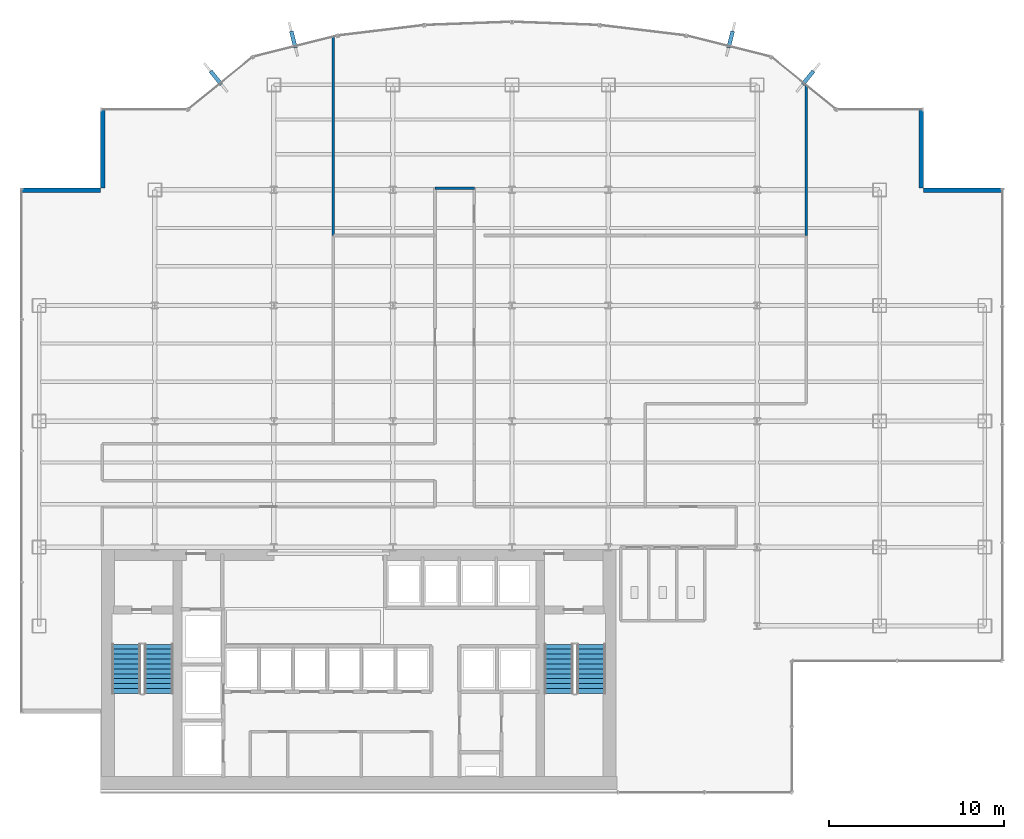
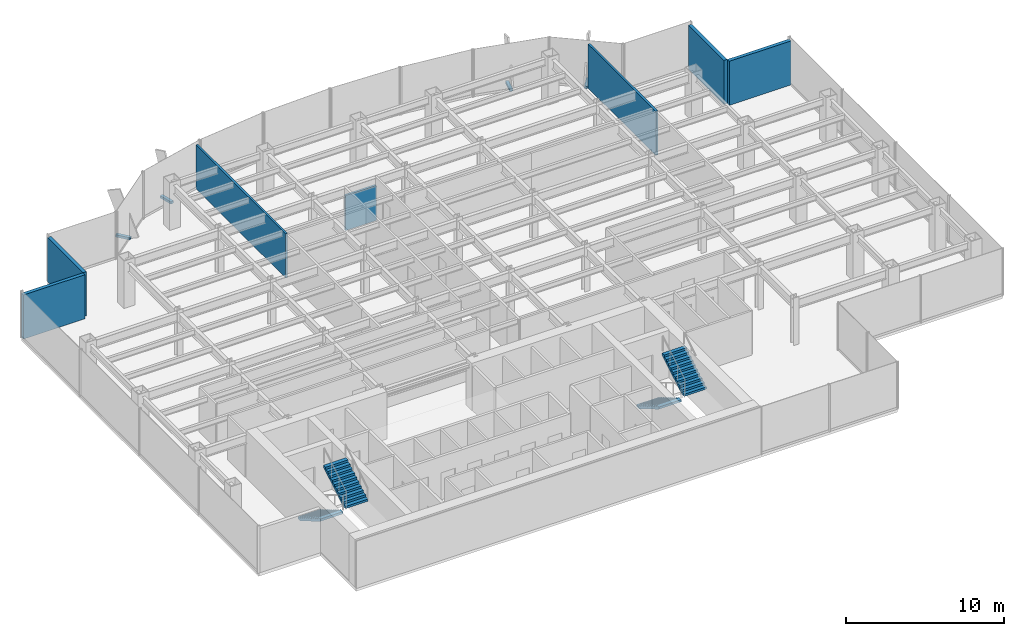
# One storey, part 23 of 26: 7 walls, 4 discrete accessories, 4 stair flights, 2 elements without a shape of their own.
"""IFC4 building model written with IfcOpenShell, lengths in metres."""

from ifc_helpers import new_model, si_unit, derived_unit, direction, frame, frame_2d, origin, origin_2d, place, context, subcontext, project, spatial, polyline, rectangle, outline, extrude, source, transform, mapped, material, layer, layer_set, type_object, element, aggregate, save


model = new_model("IFC4")

# Units and contexts
model_context = context("Model", 3, precision=1e-05, world=origin(), true_north=direction((0.0, 1.0)))
body_context = subcontext(model_context, "Body", "Model", "MODEL_VIEW")
ifc_project = project(units=[si_unit("LENGTHUNIT", "METRE"), si_unit("AREAUNIT", "SQUARE_METRE"), si_unit("VOLUMEUNIT", "CUBIC_METRE"), si_unit("PLANEANGLEUNIT", "RADIAN"), si_unit("MASSUNIT", "GRAM", prefix="KILO"), derived_unit("THERMALTRANSMITTANCEUNIT", [(si_unit("POWERUNIT", "WATT"), 1), (si_unit("LENGTHUNIT", "METRE"), -2), (si_unit("THERMODYNAMICTEMPERATUREUNIT", "KELVIN"), -1)])], contexts=[model_context])

# Site, building, storey
site_placement = place(None, origin())
site = spatial("IfcSite", under=ifc_project, at=site_placement, CompositionType="ELEMENT")
building_placement = place(site_placement, origin())
building = spatial("IfcBuilding", under=site, at=building_placement, Name="Skarnbrae Concourse Arena and Tower", CompositionType="ELEMENT")
storey_placement = place(building_placement, frame((0.0, 0.0, 114.199951171875)))
storey = spatial("IfcBuildingStorey", under=building, at=storey_placement, Name="L28", CompositionType="ELEMENT", Elevation=114.199951171875)

# Walls
ifc_material_1 = material(Name="Precast concrete 40 MPa (C40/50)", Category="concrete")
ifc_layer_1 = layer(ifc_material_1, 0.25)
ifc_layer_set_1 = layer_set([ifc_layer_1], Name="Precast concrete 40 MPa (C40/50)")
wall_type_1 = type_object("IfcWallType", Name="WALL-EXT-SPANDREL-250", PredefinedType="STANDARD", material=ifc_layer_set_1)
shared_shape_1 = source(origin(), body_context, "Body", "SweptSolid", [
    extrude(rectangle(XDim=4.5, YDim=0.25, at=frame_2d((2.25, 0.0))), origin(), (0.0, 0.0, 1.0), 3.400146484375),
])
for number, where, z_axis, x_axis, name in (
    (1, (56.0, 34.375, 0.0), (0.0, 0.0, 1.0), (-1.0, 0.0, 0.0), "L28 Notched corner insulated return wall 05"),
    (2, (51.375, 34.5, 0.0), (0.0, 0.0, 1.0), (0.0, 1.0, 0.0), "L28 Notched corner insulated return wall 06"),
    (3, (4.625, 39.0, 0.0), (0.0, 0.0, 1.0), (0.0, -1.0, 0.0), "L28 Notched corner insulated return wall 17"),
    (4, (4.5, 34.375, 0.0), (0.0, 0.0, 1.0), (-1.0, 0.0, 0.0), "L28 Notched corner insulated return wall 18"),
):
    element("IfcWall", number, at=place(storey_placement, frame(where, z_axis=z_axis, x_axis=x_axis)), inside=storey, type_object=wall_type_1, Name=name, PredefinedType="STANDARD", context=body_context, shape_type="MappedRepresentation", body=[
        mapped(shared_shape_1, transform((0.0, 0.0, 0.0))),
    ])
ifc_material_2 = material(Name="Gypsum board on cold-formed steel studs", Category="steel")
ifc_layer_2 = layer(ifc_material_2, 0.14990234375)
ifc_layer_set_2 = layer_set([ifc_layer_2], Name="Gypsum board on cold-formed steel studs")
wall_type_2 = type_object("IfcWallType", Name="WALL-PART-150-1HR", PredefinedType="PARTITIONING", material=ifc_layer_set_2)
shared_shape_2 = source(origin(), body_context, "Body", "SweptSolid", [
    extrude(rectangle(XDim=2.25, YDim=0.14990234375, at=frame_2d((1.125, 0.0))), origin(), (0.0, 0.0, 1.0), 2.7021484375),
])
wall_1_placement = place(storey_placement, frame((23.60009765625, 34.5, 0.0), z_axis=(0.0, 0.0, 1.0), x_axis=(1.0, 0.0, 0.0)))
element("IfcWall", 5, at=wall_1_placement, inside=storey, type_object=wall_type_2, Name="L28 Interior partition wall W-L28-COR-08", PredefinedType="PARTITIONING", context=body_context, shape_type="MappedRepresentation", body=[
    mapped(shared_shape_2, transform((0.0, 0.0, 0.0))),
])
ifc_layer_3 = layer(ifc_material_2, 0.14990234375)
ifc_layer_set_3 = layer_set([ifc_layer_3], Name="Gypsum board on cold-formed steel studs")
wall_type_3 = type_object("IfcWallType", Name="WALL-PART-150", PredefinedType="PARTITIONING", material=ifc_layer_set_3)
shared_shape_3 = source(origin(), body_context, "Body", "SweptSolid", [
    extrude(rectangle(XDim=11.3330078125, YDim=0.14990234375, at=frame_2d((5.66650390625, 0.0))), origin(), (0.0, 0.0, 1.0), 3.400146484375),
])
wall_2_placement = place(storey_placement, frame((17.800048828125, 43.133056640625, 0.0), z_axis=(0.0, 0.0, 1.0), x_axis=(0.0, -1.0, 0.0)))
element("IfcWall", 6, at=wall_2_placement, inside=storey, type_object=wall_type_3, Name="L28 Interior partition wall W-L28-DEM-18", PredefinedType="PARTITIONING", context=body_context, shape_type="MappedRepresentation", body=[
    mapped(shared_shape_3, transform((0.0, 0.0, 0.0))),
])
shared_shape_4 = source(origin(), body_context, "Body", "SweptSolid", [
    extrude(rectangle(XDim=8.554931640625, YDim=0.14990234375, at=frame_2d((4.27734375, 0.0))), origin(), (0.0, 0.0, 1.0), 3.400146484375),
])
wall_3_placement = place(storey_placement, frame((44.800048828125, 40.35498046875, 0.0), z_axis=(0.0, 0.0, 1.0), x_axis=(0.0, -1.0, 0.0)))
element("IfcWall", 7, at=wall_3_placement, inside=storey, type_object=wall_type_3, Name="L28 Interior partition wall W-L28-DEM-24", PredefinedType="PARTITIONING", context=body_context, shape_type="MappedRepresentation", body=[
    mapped(shared_shape_4, transform((0.0, 0.0, 0.0))),
])

# Stair, stair flights
ifc_material_3 = material(Name="Concrete 40 MPa (C40/50)", Category="concrete")
stair_type = type_object("IfcStairType", Name="STAIR-DOGLEG-1650", PredefinedType="HALF_TURN_STAIR", material=ifc_material_3)
stair_1_placement = place(storey_placement, origin())
stair_1 = element("IfcStair", 8, at=stair_1_placement, inside=storey, type_object=stair_type, Name="L28 Protected Exit Stair ST-1", PredefinedType="HALF_TURN_STAIR")
stair_flight_type = type_object("IfcStairFlightType", Name="FLIGHT-STRAIGHT-1650", PredefinedType="STRAIGHT", material=ifc_material_3)
shared_shape_5 = source(origin(), body_context, "Body", "SweptSolid", [
    extrude(outline(polyline([(0.0, 0.0), (0.0, 0.166015625), (0.280029296875, 0.166015625), (0.280029296875, 0.331787109375), (0.56005859375, 0.331787109375), (0.56005859375, 0.497802734375), (0.840087890625, 0.497802734375), (0.840087890625, 0.66357421875), (1.1201171875, 0.66357421875), (1.1201171875, 0.82958984375), (1.39990234375, 0.82958984375), (1.39990234375, 0.995361328125), (1.679931640625, 0.995361328125), (1.679931640625, 1.161376953125), (1.9599609375, 1.161376953125), (1.9599609375, 1.327392578125), (2.239990234375, 1.327392578125), (2.239990234375, 1.4931640625), (2.52001953125, 1.4931640625), (2.52001953125, 1.6591796875), (2.800048828125, 1.6591796875), (2.800048828125, 1.824951171875), (2.800048828125, 1.48486328125), (0.2939453125, 0.0), (0.0, 0.0)])), frame((0.0, 0.824951171875, 0.0), z_axis=(0.0, -1.0, 0.0), x_axis=(1.0, 0.0, 0.0)), (0.0, 0.0, 1.0), 1.64990234375),
])
stair_flight_1_placement = place(storey_placement, frame((5.97509765625, 8.449951171875, 0.0), z_axis=(0.0, 0.0, 1.0), x_axis=(0.0, -1.0, 0.0)))
stair_flight_1 = element("IfcStairFlight", 9, at=stair_flight_1_placement, type_object=stair_flight_type, Name="ST-1 flight 1", NumberOfRisers=11, NumberOfTreads=10, PredefinedType="STRAIGHT", RiserHeight=0.165909091, TreadLength=0.28, context=body_context, shape_type="MappedRepresentation", body=[
    mapped(shared_shape_5, transform((0.0, 0.0, 0.0))),
])
stair_flight_2_placement = place(storey_placement, frame((7.824951171875, 5.64990234375, 1.824951171875), z_axis=(0.0, 0.0, 1.0), x_axis=(0.0, 1.0, 0.0)))
stair_flight_2 = element("IfcStairFlight", 10, at=stair_flight_2_placement, type_object=stair_flight_type, Name="ST-1 flight 2", NumberOfRisers=11, NumberOfTreads=10, PredefinedType="STRAIGHT", RiserHeight=0.165909091, TreadLength=0.28, context=body_context, shape_type="MappedRepresentation", body=[
    mapped(shared_shape_5, transform((0.0, 0.0, 0.0))),
])
aggregate(stair_1, [stair_flight_1, stair_flight_2])

stair_2_placement = place(storey_placement, origin())
stair_2 = element("IfcStair", 11, at=stair_2_placement, inside=storey, type_object=stair_type, Name="L28 Protected Exit Stair ST-2", PredefinedType="HALF_TURN_STAIR")
stair_flight_3_placement = place(storey_placement, frame((30.675048828125, 8.449951171875, 0.0), z_axis=(0.0, 0.0, 1.0), x_axis=(0.0, -1.0, 0.0)))
stair_flight_3 = element("IfcStairFlight", 12, at=stair_flight_3_placement, type_object=stair_flight_type, Name="ST-2 flight 1", NumberOfRisers=11, NumberOfTreads=10, PredefinedType="STRAIGHT", RiserHeight=0.165909091, TreadLength=0.28, context=body_context, shape_type="MappedRepresentation", body=[
    mapped(shared_shape_5, transform((0.0, 0.0, 0.0))),
])
stair_flight_4_placement = place(storey_placement, frame((32.52490234375, 5.64990234375, 1.824951171875), z_axis=(0.0, 0.0, 1.0), x_axis=(0.0, 1.0, 0.0)))
stair_flight_4 = element("IfcStairFlight", 13, at=stair_flight_4_placement, type_object=stair_flight_type, Name="ST-2 flight 2", NumberOfRisers=11, NumberOfTreads=10, PredefinedType="STRAIGHT", RiserHeight=0.165909091, TreadLength=0.28, context=body_context, shape_type="MappedRepresentation", body=[
    mapped(shared_shape_5, transform((0.0, 0.0, 0.0))),
])
aggregate(stair_2, [stair_flight_3, stair_flight_4])

# Discrete accessories
ifc_material_4 = material(Name="Bronze anodised aluminium 6063-T6", Category="aluminium")
discrete_accessory_type = type_object("IfcDiscreteAccessoryType", Name="ACC-FIN-BRACKET", PredefinedType="BRACKET", material=ifc_material_4)
shared_shape_6 = source(origin(), body_context, "Body", "SweptSolid", [
    extrude(rectangle(XDim=0.219970703125, YDim=0.97998046875, at=origin_2d()), origin(), (0.0, 0.0, 1.0), 0.179931640625),
])
for number, where, z_axis, x_axis, name in (
    (14, (44.90771484375, 40.80859375, -0.02978515625), (0.0, 0.0, 1.0), (0.776244501415, -0.630431974144, 0.0), "L28 Bronze fin foot support bracket 08"),
    (15, (40.485107421875, 42.992431640625, -0.02978515625), (0.0, 0.0, 1.0), (0.969901771235, -0.243496517748, 0.0), "L28 Bronze fin foot support bracket 09"),
    (16, (15.514892578125, 42.992431640625, -0.02978515625), (0.0, 0.0, 1.0), (0.969901771235, 0.243496517748, 0.0), "L28 Bronze fin foot support bracket 14"),
    (17, (11.09228515625, 40.80859375, -0.02978515625), (0.0, 0.0, 1.0), (0.776244501415, 0.630431974144, 0.0), "L28 Bronze fin foot support bracket 15"),
):
    element("IfcDiscreteAccessory", number, at=place(storey_placement, frame(where, z_axis=z_axis, x_axis=x_axis)), inside=storey, type_object=discrete_accessory_type, Name=name, PredefinedType="BRACKET", context=body_context, shape_type="MappedRepresentation", body=[
        mapped(shared_shape_6, transform((0.0, 0.0, 0.0))),
    ])

save(model, "model.ifc")
